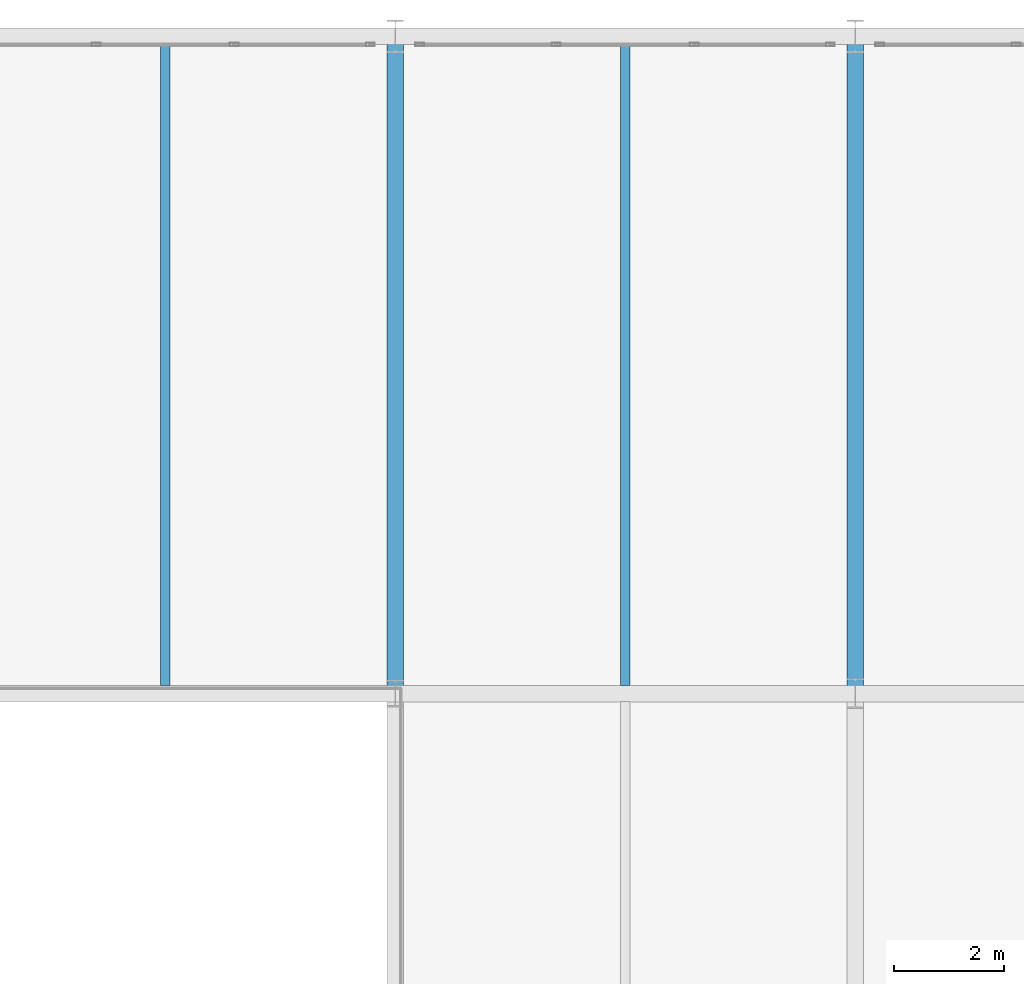
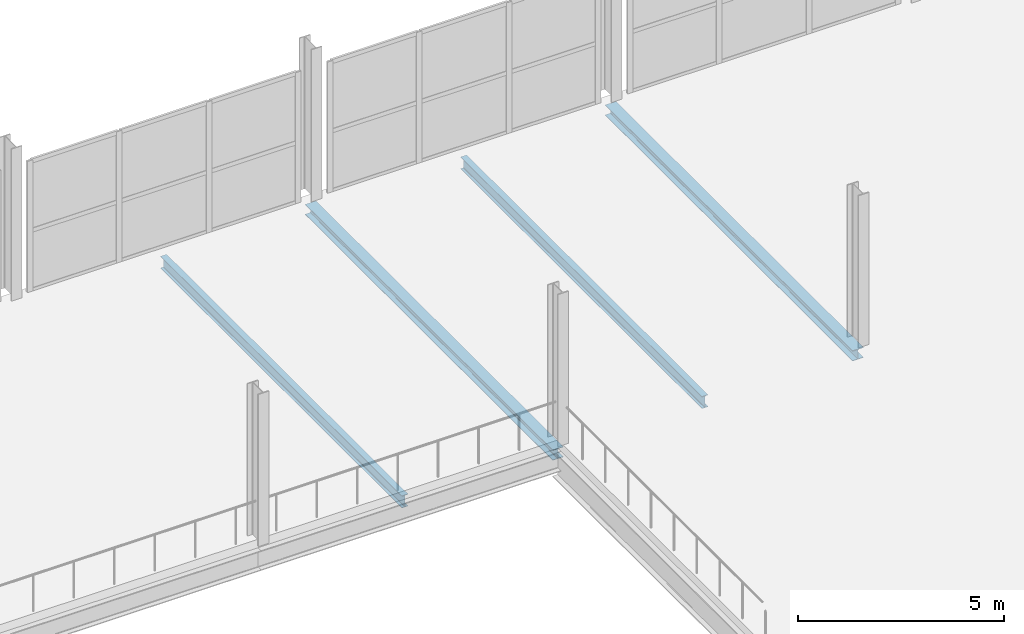
# One storey, part 55 of 109: 4 beams.
"""IFC4 building model written with IfcOpenShell, lengths in metres."""

from ifc_helpers import new_model, si_unit, direction, frame, origin, origin_2d, place, context, subcontext, project, spatial, i_section, extrude, material, material_profile, profile_set, type_object, element, save


model = new_model("IFC4")

# Units and contexts
model_context = context("Model", 3, precision=1e-05, world=origin(), true_north=direction((0.0, 1.0)))
body_context = subcontext(model_context, "Body", "Model", "MODEL_VIEW")
ifc_project = project(units=[si_unit("LENGTHUNIT", "METRE"), si_unit("AREAUNIT", "SQUARE_METRE"), si_unit("VOLUMEUNIT", "CUBIC_METRE"), si_unit("PLANEANGLEUNIT", "RADIAN"), si_unit("MASSUNIT", "GRAM", prefix="KILO")], contexts=[model_context])

# Site, building, storey
site_placement = place(None, origin())
site = spatial("IfcSite", under=ifc_project, at=site_placement, CompositionType="ELEMENT")
building_placement = place(site_placement, origin())
building = spatial("IfcBuilding", under=site, at=building_placement, Name="Veltarok Museum of Natural Sciences", CompositionType="ELEMENT")
storey_placement = place(building_placement, frame((0.0, 0.0, 17.39990234375)))
storey = spatial("IfcBuildingStorey", under=building, at=storey_placement, Name="L03", CompositionType="ELEMENT", Elevation=17.39990234375)

# Beams
ifc_material = material(Name="Steel S355J2", Category="steel")
ifc_material_profile_1 = material_profile(ifc_material, i_section(OverallWidth=0.169921875, OverallDepth=0.360107421875, WebThickness=0.008056640625, FlangeThickness=0.0126953125, FilletRadius=0.01806640625, at=origin_2d()), Name="IPE 360")
ifc_profile_set_1 = profile_set([ifc_material_profile_1], Name="Steel S355J2")
beam_type_1 = type_object("IfcBeamType", Name="Long-Bay Composite Joist IPE 360", PredefinedType="JOIST", material=ifc_profile_set_1)
for number, where, z_axis, x_axis, name in (
    (1, (69.39990234375, 60.14794921875, -0.429931640625), (0.0, 1.0, 0.0), (-1.0, 0.0, 0.0), "Secondary Joist BM-J01 L03 8-9/G-H.1"),
    (2, (77.800048828125, 60.14794921875, -0.429931640625), (0.0, 1.0, 0.0), (-1.0, 0.0, 0.0), "Secondary Joist BM-J01 L03 9-10/G-H.1"),
):
    element("IfcBeam", number, at=place(storey_placement, frame(where, z_axis=z_axis, x_axis=x_axis)), inside=storey, type_object=beam_type_1, Name=name, PredefinedType="JOIST", context=body_context, shape_type="SweptSolid", body=[
        extrude(i_section(OverallWidth=0.169921875, OverallDepth=0.360107421875, WebThickness=0.008056640625, FlangeThickness=0.0126953125, FilletRadius=0.01806640625, at=origin_2d()), origin(), (0.0, 0.0, 1.0), 11.7041015625),
    ])
ifc_material_profile_2 = material_profile(ifc_material, i_section(OverallWidth=0.300048828125, OverallDepth=0.31005859375, WebThickness=0.009033203125, FlangeThickness=0.015380859375, FilletRadius=0.027099609375, at=origin_2d()), Name="HEA 320")
ifc_profile_set_2 = profile_set([ifc_material_profile_2], Name="Steel S355J2")
beam_type_2 = type_object("IfcBeamType", Name="Perimeter Edge Spandrel HEA 320", PredefinedType="SPANDREL", material=ifc_profile_set_2)
for number, where, z_axis, x_axis, name in (
    (3, (73.60009765625, 60.0, -0.40478515625), (0.0, 1.0, 0.0), (-1.0, 0.0, 0.0), "Beam BM-SP04 L03 9/G-H"),
    (4, (82.0, 60.0, -0.40478515625), (0.0, 1.0, 0.0), (-1.0, 0.0, 0.0), "Beam BM-SP04 L03 10/G-H"),
):
    element("IfcBeam", number, at=place(storey_placement, frame(where, z_axis=z_axis, x_axis=x_axis)), inside=storey, type_object=beam_type_2, Name=name, PredefinedType="SPANDREL", context=body_context, shape_type="SweptSolid", body=[
        extrude(i_section(OverallWidth=0.300048828125, OverallDepth=0.31005859375, WebThickness=0.009033203125, FlangeThickness=0.015380859375, FilletRadius=0.027099609375, at=origin_2d()), origin(), (0.0, 0.0, 1.0), 12.0),
    ])

save(model, "model.ifc")
